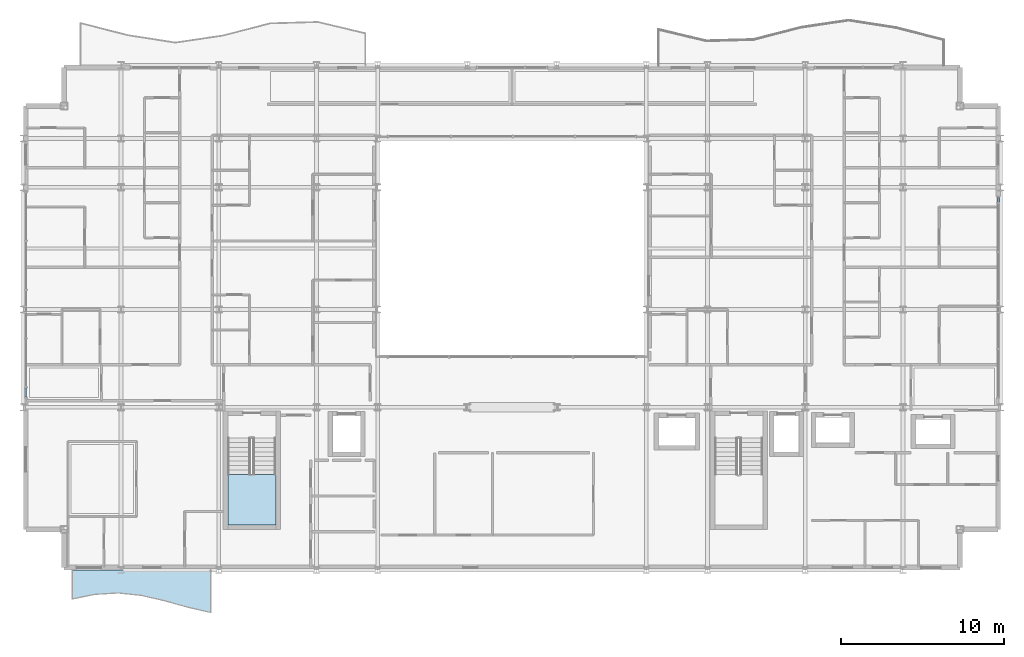
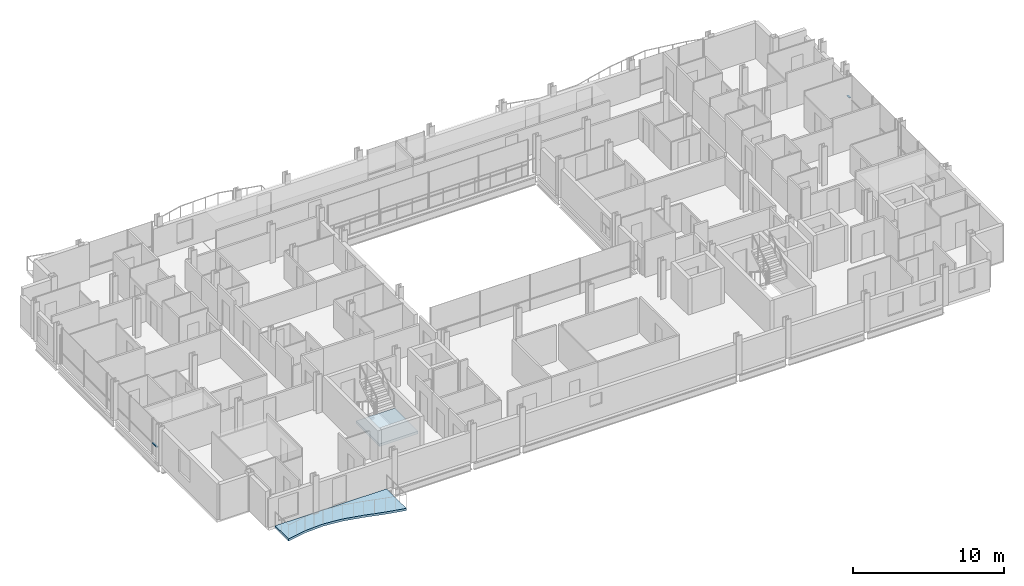
# One storey, part 25 of 41: 2 members, 2 slabs, 3 elements without a shape of their own.
"""IFC4 building model written with IfcOpenShell, lengths in metres."""

from ifc_helpers import new_model, si_unit, direction, frame, origin, origin_2d, place, context, subcontext, project, spatial, polyline, hollow_rectangle, outline, extrude, material, layer, layer_set, material_profile, profile_set, type_object, element, aggregate, save


model = new_model("IFC4")

# Units and contexts
model_context = context("Model", 3, precision=1e-05, world=origin(), true_north=direction((0.0, 1.0)))
body_context = subcontext(model_context, "Body", "Model", "MODEL_VIEW")
ifc_project = project(units=[si_unit("LENGTHUNIT", "METRE"), si_unit("AREAUNIT", "SQUARE_METRE"), si_unit("VOLUMEUNIT", "CUBIC_METRE"), si_unit("PLANEANGLEUNIT", "RADIAN"), si_unit("MASSUNIT", "GRAM", prefix="KILO")], contexts=[model_context])

# Site, building, storey
site_placement = place(None, origin())
site = spatial("IfcSite", under=ifc_project, at=site_placement, CompositionType="ELEMENT")
building_placement = place(site_placement, origin())
building = spatial("IfcBuilding", under=site, at=building_placement, Name="Brevholm Reach", CompositionType="ELEMENT")
storey_placement = place(building_placement, frame((0.0, 0.0, 106.60009765625)))
storey = spatial("IfcBuildingStorey", under=building, at=storey_placement, Name="L31", CompositionType="ELEMENT", Elevation=106.60009765625)

# Curtain wall, member
ifc_material_1 = material(Name="Dark Anodised Aluminium 6063-T6 and Solar-Control Glass", Category="aluminium")
ifc_layer_1 = layer(ifc_material_1, 0.14990234375)
ifc_layer_set_1 = layer_set([ifc_layer_1], Name="Dark Anodised Aluminium 6063-T6 and Solar-Control Glass")
curtain_wall_type = type_object("IfcCurtainWallType", Name="CW-01", PredefinedType="NOTDEFINED", material=ifc_layer_set_1)
curtain_wall_1_placement = place(storey_placement, origin())
curtain_wall_1 = element("IfcCurtainWall", 1, at=curtain_wall_1_placement, inside=storey, type_object=curtain_wall_type, Name="L31 Curtain Wall CW-01", PredefinedType="NOTDEFINED")
ifc_material_2 = material(Name="Dark Anodised Aluminium 6063-T6", Category="aluminium")
ifc_material_profile = material_profile(ifc_material_2, hollow_rectangle(XDim=0.06494140625, YDim=0.14990234375, WallThickness=0.0048828125, InnerFilletRadius=0.0048828125, OuterFilletRadius=0.010009765625, at=origin_2d()), Name="RHS 150x65x5")
ifc_profile_set = profile_set([ifc_material_profile], Name="Dark Anodised Aluminium 6063-T6")
member_type = type_object("IfcMemberType", Name="CWT-150", PredefinedType="NOTDEFINED", material=ifc_profile_set)
member_1_placement = place(storey_placement, frame((0.14990234375, 11.1875, 0.89990234375), z_axis=(0.0, -1.0, 0.0), x_axis=(0.0, 0.0, 1.0)))
member_1 = element("IfcMember", 2, at=member_1_placement, type_object=member_type, Name="CT-150 Transom 5.1", ObjectType="TRANSOM", PredefinedType="USERDEFINED", context=body_context, shape_type="SweptSolid", body=[
    extrude(hollow_rectangle(XDim=0.06494140625, YDim=0.14990234375, WallThickness=0.0048828125, InnerFilletRadius=0.0048828125, OuterFilletRadius=0.010009765625, at=origin_2d()), origin(), (0.0, 0.0, 1.0), 0.572509765625),
])
aggregate(curtain_wall_1, [member_1])

curtain_wall_2_placement = place(storey_placement, origin())
curtain_wall_2 = element("IfcCurtainWall", 3, at=curtain_wall_2_placement, inside=storey, type_object=curtain_wall_type, Name="L31 Curtain Wall CW-01", PredefinedType="NOTDEFINED")
member_2_placement = place(storey_placement, frame((59.85009765625, 22.58251953125, 0.89990234375), z_axis=(0.0, 1.0, 0.0), x_axis=(0.0, 0.0, 1.0)))
member_2 = element("IfcMember", 4, at=member_2_placement, type_object=member_type, Name="CT-150 Transom 5.1", ObjectType="TRANSOM", PredefinedType="USERDEFINED", context=body_context, shape_type="SweptSolid", body=[
    extrude(hollow_rectangle(XDim=0.06494140625, YDim=0.14990234375, WallThickness=0.0048828125, InnerFilletRadius=0.0048828125, OuterFilletRadius=0.010009765625, at=origin_2d()), origin(), (0.0, 0.0, 1.0), 0.302490234375),
])
aggregate(curtain_wall_2, [member_2])

# Slab
ifc_material_3 = material(Name="Precast Concrete C40/50", Category="concrete")
ifc_layer_2 = layer(ifc_material_3, 0.179931640625)
ifc_layer_set_2 = layer_set([ifc_layer_2], Name="Precast Concrete C40/50")
slab_type_1 = type_object("IfcSlabType", Name="SLB-BAL-180", PredefinedType="FLOOR", material=ifc_layer_set_2)
slab_1_placement = place(storey_placement, frame((0.0, 0.0, -0.18017578125)))
element("IfcSlab", 5, at=slab_1_placement, inside=storey, type_object=slab_type_1, Name="L31 Rippling External Balcony SW", PredefinedType="FLOOR", context=body_context, shape_type="SweptSolid", body=[
    extrude(outline(polyline([(3.0, -1.7685546875), (4.416748046875, -1.484619140625), (5.833251953125, -1.402587890625), (7.25, -1.55029296875), (8.666748046875, -1.877685546875), (10.083251953125, -2.2724609375), (11.5, -2.599609375), (11.5, 0.0), (3.0, 0.0), (3.0, -1.7685546875)])), origin(), (0.0, 0.0, 1.0), 0.18017578125),
])

# Stair, slab
ifc_material_4 = material(Name="Precast Concrete C40/50", Category="concrete")
stair_type = type_object("IfcStairType", Name="STR-ESC-1400", PredefinedType="DOUBLE_RETURN_STAIR", material=ifc_material_4)
stair_placement = place(storey_placement, origin())
stair = element("IfcStair", 6, at=stair_placement, inside=storey, type_object=stair_type, Name="L31 ST-1", PredefinedType="DOUBLE_RETURN_STAIR")
ifc_material_5 = material(Name="Concrete C40/50", Category="concrete")
ifc_layer_3 = layer(ifc_material_5, 0.199951171875)
ifc_layer_set_3 = layer_set([ifc_layer_3], Name="Concrete C40/50")
slab_type_2 = type_object("IfcSlabType", Name="SLB-LND-200", PredefinedType="LANDING", material=ifc_layer_set_3)
slab_2_placement = place(storey_placement, frame((0.0, 0.0, 1.349853515625)))
slab_2 = element("IfcSlab", 7, at=slab_2_placement, type_object=slab_type_2, Name="ST-1 landing 1", PredefinedType="LANDING", context=body_context, shape_type="SweptSolid", body=[
    extrude(outline(polyline([(12.550048828125, 5.860107421875), (12.550048828125, 2.780029296875), (15.5, 2.780029296875), (15.5, 5.860107421875), (12.550048828125, 5.860107421875)])), origin(), (0.0, 0.0, 1.0), 0.199951171875),
])
aggregate(stair, [slab_2])

save(model, "model.ifc")
